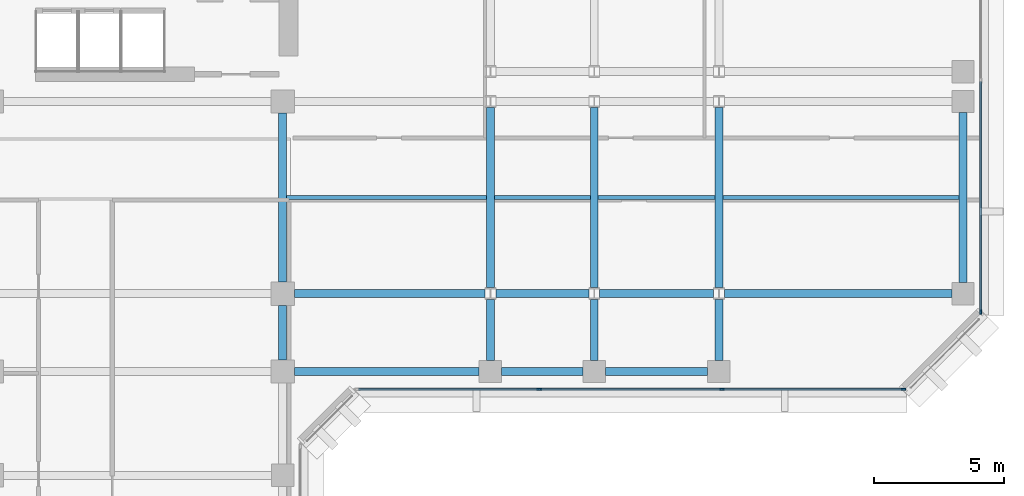
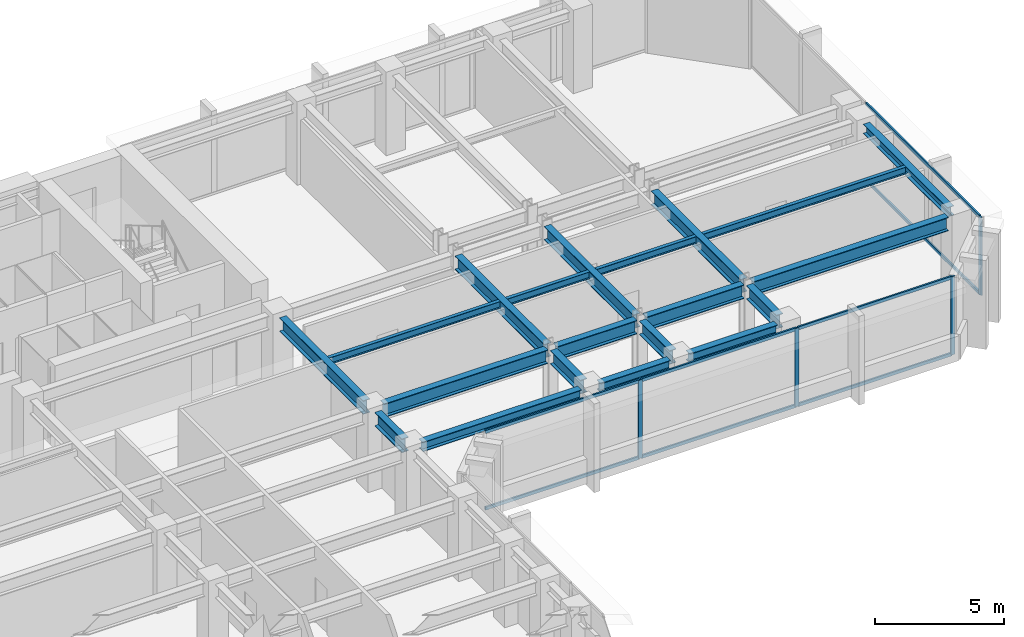
# One storey, part 3 of 11: 20 beams, 12 members, 2 elements without a shape of their own.
"""IFC4 building model written with IfcOpenShell, lengths in metres."""

from ifc_helpers import new_model, si_unit, direction, frame, origin, origin_2d, place, context, subcontext, project, spatial, rectangle, i_section, extrude, material, layer, layer_set, material_profile, profile_set, type_object, element, aggregate, save


model = new_model("IFC4")

# Units and contexts
model_context = context("Model", 3, precision=1e-05, world=origin(), true_north=direction((0.0, 1.0)))
body_context = subcontext(model_context, "Body", "Model", "MODEL_VIEW")
ifc_project = project(units=[si_unit("LENGTHUNIT", "METRE"), si_unit("AREAUNIT", "SQUARE_METRE"), si_unit("VOLUMEUNIT", "CUBIC_METRE"), si_unit("PLANEANGLEUNIT", "RADIAN"), si_unit("MASSUNIT", "GRAM", prefix="KILO")], contexts=[model_context])

# Site, building, storey
site_placement = place(None, origin())
site = spatial("IfcSite", under=ifc_project, at=site_placement, CompositionType="ELEMENT")
building_placement = place(site_placement, origin())
building = spatial("IfcBuilding", under=site, at=building_placement, Name="Kefirva Bronze Tower", CompositionType="ELEMENT")
storey_placement = place(building_placement, frame((0.0, 0.0, 162.68994140625)))
storey = spatial("IfcBuildingStorey", under=building, at=storey_placement, Name="L39", CompositionType="ELEMENT", Elevation=162.68994140625)

# Curtain wall, members
ifc_material_1 = material(Name="Bronze anodised aluminium", Category="aluminium")
ifc_layer = layer(ifc_material_1, 0.199951171875, Name="Bronze anodised aluminium")
ifc_layer_set = layer_set([ifc_layer], Name="Bronze anodised aluminium")
curtain_wall_type = type_object("IfcCurtainWallType", Name="Unitised Bronze Ribbon Curtain Wall Zone 2", PredefinedType="USERDEFINED", material=ifc_layer_set)
curtain_wall_1_placement = place(storey_placement, origin())
curtain_wall_1 = element("IfcCurtainWall", 1, at=curtain_wall_1_placement, inside=storey, type_object=curtain_wall_type, Name="L39 Curtain Wall 2", ObjectType="UNITISED CURTAIN WALL", PredefinedType="USERDEFINED")
ifc_material_profile_1 = material_profile(ifc_material_1, rectangle(XDim=0.074951171875, YDim=0.179931640625, at=origin_2d()), Name="ALU 75x180")
ifc_profile_set_1 = profile_set([ifc_material_profile_1], Name="Bronze anodised aluminium")
member_type_1 = type_object("IfcMemberType", Name="Bronze Mullion 75x180", PredefinedType="MULLION", material=ifc_profile_set_1)
member_1_placement = place(storey_placement, frame((33.0849609375, 22.1201171875, 0.0), z_axis=(0.0, 0.0, 1.0), x_axis=(0.0, 1.0, 0.0)))
member_1 = element("IfcMember", 2, at=member_1_placement, type_object=member_type_1, Name="CW-02 mullion 2", PredefinedType="MULLION", context=body_context, shape_type="SweptSolid", body=[
    extrude(rectangle(XDim=0.074951171875, YDim=0.179931640625, at=origin_2d()), origin(), (0.0, 0.0, 1.0), 3.7099609375),
])
member_2_placement = place(storey_placement, frame((40.114990234375, 22.1201171875, 0.0), z_axis=(0.0, 0.0, 1.0), x_axis=(0.0, 1.0, 0.0)))
member_2 = element("IfcMember", 3, at=member_2_placement, type_object=member_type_1, Name="CW-02 mullion 3", PredefinedType="MULLION", context=body_context, shape_type="SweptSolid", body=[
    extrude(rectangle(XDim=0.074951171875, YDim=0.179931640625, at=origin_2d()), origin(), (0.0, 0.0, 1.0), 3.7099609375),
])
member_3_placement = place(storey_placement, frame((47.107421875, 22.1201171875, 0.0), z_axis=(0.0, 0.0, 1.0), x_axis=(0.0, 1.0, 0.0)))
member_3 = element("IfcMember", 4, at=member_3_placement, type_object=member_type_1, Name="CW-02 mullion 4", PredefinedType="MULLION", context=body_context, shape_type="SweptSolid", body=[
    extrude(rectangle(XDim=0.074951171875, YDim=0.179931640625, at=origin_2d()), origin(), (0.0, 0.0, 1.0), 3.7099609375),
])

# Curtain wall, member
curtain_wall_2_placement = place(storey_placement, origin())
curtain_wall_2 = element("IfcCurtainWall", 5, at=curtain_wall_2_placement, inside=storey, type_object=curtain_wall_type, Name="L39 Curtain Wall 3", ObjectType="UNITISED CURTAIN WALL", PredefinedType="USERDEFINED")
member_4_placement = place(storey_placement, frame((50.080078125, 25.092529296875, 0.0), z_axis=(0.0, 0.0, 1.0), x_axis=(-1.0, 0.0, 0.0)))
member_4 = element("IfcMember", 6, at=member_4_placement, type_object=member_type_1, Name="CW-02 mullion 1", PredefinedType="MULLION", context=body_context, shape_type="SweptSolid", body=[
    extrude(rectangle(XDim=0.074951171875, YDim=0.179931640625, at=origin_2d()), origin(), (0.0, 0.0, 1.0), 3.7099609375),
])

# Member
ifc_material_profile_2 = material_profile(ifc_material_1, rectangle(XDim=0.074951171875, YDim=0.14990234375, at=origin_2d()), Name="ALU 75x150")
ifc_profile_set_2 = profile_set([ifc_material_profile_2], Name="Bronze anodised aluminium")
member_type_2 = type_object("IfcMemberType", Name="Bronze Transom 75x150", PredefinedType="USERDEFINED", material=ifc_profile_set_2)
member_5_placement = place(storey_placement, frame((26.1298828125, 22.1201171875, 0.03759765625), z_axis=(1.0, 0.0, 0.0), x_axis=(0.0, 1.0, 0.0)))
member_5 = element("IfcMember", 7, at=member_5_placement, type_object=member_type_2, Name="CW-02 transom 1.1", ObjectType="TRANSOM", PredefinedType="USERDEFINED", context=body_context, shape_type="SweptSolid", body=[
    extrude(rectangle(XDim=0.074951171875, YDim=0.14990234375, at=origin_2d()), origin(), (0.0, 0.0, 1.0), 6.917724609375),
])

member_6_placement = place(storey_placement, frame((26.1298828125, 22.1201171875, 3.672607421875), z_axis=(1.0, 0.0, 0.0), x_axis=(0.0, 1.0, 0.0)))
member_6 = element("IfcMember", 8, at=member_6_placement, type_object=member_type_2, Name="CW-02 transom 1.2", ObjectType="TRANSOM", PredefinedType="USERDEFINED", context=body_context, shape_type="SweptSolid", body=[
    extrude(rectangle(XDim=0.074951171875, YDim=0.14990234375, at=origin_2d()), origin(), (0.0, 0.0, 1.0), 6.917724609375),
])

member_7_placement = place(storey_placement, frame((33.12255859375, 22.1201171875, 0.03759765625), z_axis=(1.0, 0.0, 0.0), x_axis=(0.0, 1.0, 0.0)))
member_7 = element("IfcMember", 9, at=member_7_placement, type_object=member_type_2, Name="CW-02 transom 2.1", ObjectType="TRANSOM", PredefinedType="USERDEFINED", context=body_context, shape_type="SweptSolid", body=[
    extrude(rectangle(XDim=0.074951171875, YDim=0.14990234375, at=origin_2d()), origin(), (0.0, 0.0, 1.0), 6.954833984375),
])

member_8_placement = place(storey_placement, frame((33.12255859375, 22.1201171875, 3.672607421875), z_axis=(1.0, 0.0, 0.0), x_axis=(0.0, 1.0, 0.0)))
member_8 = element("IfcMember", 10, at=member_8_placement, type_object=member_type_2, Name="CW-02 transom 2.2", ObjectType="TRANSOM", PredefinedType="USERDEFINED", context=body_context, shape_type="SweptSolid", body=[
    extrude(rectangle(XDim=0.074951171875, YDim=0.14990234375, at=origin_2d()), origin(), (0.0, 0.0, 1.0), 6.954833984375),
])

member_9_placement = place(storey_placement, frame((40.152587890625, 22.1201171875, 0.03759765625), z_axis=(1.0, 0.0, 0.0), x_axis=(0.0, 1.0, 0.0)))
member_9 = element("IfcMember", 11, at=member_9_placement, type_object=member_type_2, Name="CW-02 transom 3.1", ObjectType="TRANSOM", PredefinedType="USERDEFINED", context=body_context, shape_type="SweptSolid", body=[
    extrude(rectangle(XDim=0.074951171875, YDim=0.14990234375, at=origin_2d()), origin(), (0.0, 0.0, 1.0), 6.91748046875),
])

member_10_placement = place(storey_placement, frame((40.152587890625, 22.1201171875, 3.672607421875), z_axis=(1.0, 0.0, 0.0), x_axis=(0.0, 1.0, 0.0)))
member_10 = element("IfcMember", 12, at=member_10_placement, type_object=member_type_2, Name="CW-02 transom 3.2", ObjectType="TRANSOM", PredefinedType="USERDEFINED", context=body_context, shape_type="SweptSolid", body=[
    extrude(rectangle(XDim=0.074951171875, YDim=0.14990234375, at=origin_2d()), origin(), (0.0, 0.0, 1.0), 6.91748046875),
])

aggregate(curtain_wall_1, [member_1, member_2, member_3, member_5, member_6, member_7, member_8, member_9, member_10])

member_11_placement = place(storey_placement, frame((50.080078125, 25.1298828125, 0.03759765625), z_axis=(0.0, 1.0, 0.0), x_axis=(-1.0, 0.0, 0.0)))
member_11 = element("IfcMember", 13, at=member_11_placement, type_object=member_type_2, Name="CW-02 transom 1.1", ObjectType="TRANSOM", PredefinedType="USERDEFINED", context=body_context, shape_type="SweptSolid", body=[
    extrude(rectangle(XDim=0.074951171875, YDim=0.14990234375, at=origin_2d()), origin(), (0.0, 0.0, 1.0), 8.83251953125),
])

member_12_placement = place(storey_placement, frame((50.080078125, 25.1298828125, 3.672607421875), z_axis=(0.0, 1.0, 0.0), x_axis=(-1.0, 0.0, 0.0)))
member_12 = element("IfcMember", 14, at=member_12_placement, type_object=member_type_2, Name="CW-02 transom 1.2", ObjectType="TRANSOM", PredefinedType="USERDEFINED", context=body_context, shape_type="SweptSolid", body=[
    extrude(rectangle(XDim=0.074951171875, YDim=0.14990234375, at=origin_2d()), origin(), (0.0, 0.0, 1.0), 8.83251953125),
])

aggregate(curtain_wall_2, [member_4, member_11, member_12])

# Beams
ifc_material_2 = material(Name="Steel S355", Category="steel")
ifc_material_profile_3 = material_profile(ifc_material_2, i_section(OverallWidth=0.159912109375, OverallDepth=0.330078125, WebThickness=0.007568359375, FlangeThickness=0.011474609375, at=origin_2d()), Name="IPE 330")
ifc_profile_set_3 = profile_set([ifc_material_profile_3], Name="Steel S355")
beam_type_1 = type_object("IfcBeamType", Name="Steel Floor Joist IPE 330", PredefinedType="JOIST", material=ifc_profile_set_3)
beam_1_placement = place(storey_placement, frame((23.35009765625, 29.5, 3.545166015625), z_axis=(1.0, 0.0, 0.0), x_axis=(0.0, 1.0, 0.0)))
element("IfcBeam", 15, at=beam_1_placement, inside=storey, type_object=beam_type_1, Name="L39 JST-L39-23-295", PredefinedType="JOIST", context=body_context, shape_type="SweptSolid", body=[
    extrude(i_section(OverallWidth=0.159912109375, OverallDepth=0.330078125, WebThickness=0.007568359375, FlangeThickness=0.011474609375, at=origin_2d()), origin(), (0.0, 0.0, 1.0), 7.699951171875),
])
beam_2_placement = place(storey_placement, frame((31.35009765625, 29.5, 3.545166015625), z_axis=(1.0, 0.0, 0.0), x_axis=(0.0, 1.0, 0.0)))
element("IfcBeam", 16, at=beam_2_placement, inside=storey, type_object=beam_type_1, Name="L39 JST-L39-31-295", PredefinedType="JOIST", context=body_context, shape_type="SweptSolid", body=[
    extrude(i_section(OverallWidth=0.159912109375, OverallDepth=0.330078125, WebThickness=0.007568359375, FlangeThickness=0.011474609375, at=origin_2d()), origin(), (0.0, 0.0, 1.0), 3.699951171875),
])
beam_3_placement = place(storey_placement, frame((35.35009765625, 29.5, 3.545166015625), z_axis=(1.0, 0.0, 0.0), x_axis=(0.0, 1.0, 0.0)))
element("IfcBeam", 17, at=beam_3_placement, inside=storey, type_object=beam_type_1, Name="L39 JST-L39-35-295", PredefinedType="JOIST", context=body_context, shape_type="SweptSolid", body=[
    extrude(i_section(OverallWidth=0.159912109375, OverallDepth=0.330078125, WebThickness=0.007568359375, FlangeThickness=0.011474609375, at=origin_2d()), origin(), (0.0, 0.0, 1.0), 4.5),
])
beam_4_placement = place(storey_placement, frame((40.14990234375, 29.5, 3.545166015625), z_axis=(1.0, 0.0, 0.0), x_axis=(0.0, 1.0, 0.0)))
element("IfcBeam", 18, at=beam_4_placement, inside=storey, type_object=beam_type_1, Name="L39 JST-L39-40-295", PredefinedType="JOIST", context=body_context, shape_type="SweptSolid", body=[
    extrude(i_section(OverallWidth=0.159912109375, OverallDepth=0.330078125, WebThickness=0.007568359375, FlangeThickness=0.011474609375, at=origin_2d()), origin(), (0.0, 0.0, 1.0), 9.10009765625),
])
ifc_material_profile_4 = material_profile(ifc_material_2, i_section(OverallWidth=0.300048828125, OverallDepth=0.64990234375, WebThickness=0.01611328125, FlangeThickness=0.031005859375, at=origin_2d()), Name="HEB 650")
ifc_profile_set_4 = profile_set([ifc_material_profile_4], Name="Steel S355")
beam_type_2 = type_object("IfcBeamType", Name="Steel Girder HEB 650", PredefinedType="USERDEFINED", material=ifc_profile_set_4)
beam_5_placement = place(storey_placement, frame((23.64990234375, 25.800048828125, 3.385009765625), z_axis=(1.0, 0.0, 0.0), x_axis=(0.0, 1.0, 0.0)))
element("IfcBeam", 19, at=beam_5_placement, inside=storey, type_object=beam_type_2, Name="L39 BM-L39-EW-23-258", ObjectType="GIRDER", PredefinedType="USERDEFINED", context=body_context, shape_type="SweptSolid", body=[
    extrude(i_section(OverallWidth=0.300048828125, OverallDepth=0.64990234375, WebThickness=0.01611328125, FlangeThickness=0.031005859375, at=origin_2d()), origin(), (0.0, 0.0, 1.0), 7.341064453125),
])
beam_6_placement = place(storey_placement, frame((31.408935546875, 25.800048828125, 3.385009765625), z_axis=(1.0, 0.0, 0.0), x_axis=(0.0, 1.0, 0.0)))
element("IfcBeam", 20, at=beam_6_placement, inside=storey, type_object=beam_type_2, Name="L39 BM-L39-EW-31-258", ObjectType="GIRDER", PredefinedType="USERDEFINED", context=body_context, shape_type="SweptSolid", body=[
    extrude(i_section(OverallWidth=0.300048828125, OverallDepth=0.64990234375, WebThickness=0.01611328125, FlangeThickness=0.031005859375, at=origin_2d()), origin(), (0.0, 0.0, 1.0), 3.58203125),
])
beam_7_placement = place(storey_placement, frame((35.408935546875, 25.800048828125, 3.385009765625), z_axis=(1.0, 0.0, 0.0), x_axis=(0.0, 1.0, 0.0)))
element("IfcBeam", 21, at=beam_7_placement, inside=storey, type_object=beam_type_2, Name="L39 BM-L39-EW-35-258", ObjectType="GIRDER", PredefinedType="USERDEFINED", context=body_context, shape_type="SweptSolid", body=[
    extrude(i_section(OverallWidth=0.300048828125, OverallDepth=0.64990234375, WebThickness=0.01611328125, FlangeThickness=0.031005859375, at=origin_2d()), origin(), (0.0, 0.0, 1.0), 4.382080078125),
])
beam_8_placement = place(storey_placement, frame((40.208984375, 25.800048828125, 3.385009765625), z_axis=(1.0, 0.0, 0.0), x_axis=(0.0, 1.0, 0.0)))
element("IfcBeam", 22, at=beam_8_placement, inside=storey, type_object=beam_type_2, Name="L39 BM-L39-EW-40-258", ObjectType="GIRDER", PredefinedType="USERDEFINED", context=body_context, shape_type="SweptSolid", body=[
    extrude(i_section(OverallWidth=0.300048828125, OverallDepth=0.64990234375, WebThickness=0.01611328125, FlangeThickness=0.031005859375, at=origin_2d()), origin(), (0.0, 0.0, 1.0), 8.760986328125),
])
beam_9_placement = place(storey_placement, frame((23.199951171875, 23.25, 3.385009765625), z_axis=(0.0, 1.0, 0.0), x_axis=(-1.0, 0.0, 0.0)))
element("IfcBeam", 23, at=beam_9_placement, inside=storey, type_object=beam_type_2, Name="L39 BM-L39-NS-232-22", ObjectType="GIRDER", PredefinedType="USERDEFINED", context=body_context, shape_type="SweptSolid", body=[
    extrude(i_section(OverallWidth=0.300048828125, OverallDepth=0.64990234375, WebThickness=0.01611328125, FlangeThickness=0.031005859375, at=origin_2d()), origin(), (0.0, 0.0, 1.0), 2.10009765625),
])
beam_10_placement = place(storey_placement, frame((23.199951171875, 26.25, 3.385009765625), z_axis=(0.0, 1.0, 0.0), x_axis=(-1.0, 0.0, 0.0)))
element("IfcBeam", 24, at=beam_10_placement, inside=storey, type_object=beam_type_2, Name="L39 BM-L39-NS-232-25", ObjectType="GIRDER", PredefinedType="USERDEFINED", context=body_context, shape_type="SweptSolid", body=[
    extrude(i_section(OverallWidth=0.300048828125, OverallDepth=0.64990234375, WebThickness=0.01611328125, FlangeThickness=0.031005859375, at=origin_2d()), origin(), (0.0, 0.0, 1.0), 6.5),
])
beam_11_placement = place(storey_placement, frame((31.199951171875, 23.22998046875, 3.385009765625), z_axis=(0.0, 1.0, 0.0), x_axis=(-1.0, 0.0, 0.0)))
element("IfcBeam", 25, at=beam_11_placement, inside=storey, type_object=beam_type_2, Name="L39 BM-L39-NS-312-22", ObjectType="GIRDER", PredefinedType="USERDEFINED", context=body_context, shape_type="SweptSolid", body=[
    extrude(i_section(OverallWidth=0.300048828125, OverallDepth=0.64990234375, WebThickness=0.01611328125, FlangeThickness=0.031005859375, at=origin_2d()), origin(), (0.0, 0.0, 1.0), 2.342529296875),
])
beam_12_placement = place(storey_placement, frame((31.199951171875, 26.027587890625, 3.385009765625), z_axis=(0.0, 1.0, 0.0), x_axis=(-1.0, 0.0, 0.0)))
element("IfcBeam", 26, at=beam_12_placement, inside=storey, type_object=beam_type_2, Name="L39 BM-L39-NS-312-25", ObjectType="GIRDER", PredefinedType="USERDEFINED", context=body_context, shape_type="SweptSolid", body=[
    extrude(i_section(OverallWidth=0.300048828125, OverallDepth=0.64990234375, WebThickness=0.01611328125, FlangeThickness=0.031005859375, at=origin_2d()), origin(), (0.0, 0.0, 1.0), 6.94482421875),
])
beam_13_placement = place(storey_placement, frame((35.199951171875, 23.22998046875, 3.385009765625), z_axis=(0.0, 1.0, 0.0), x_axis=(-1.0, 0.0, 0.0)))
element("IfcBeam", 27, at=beam_13_placement, inside=storey, type_object=beam_type_2, Name="L39 BM-L39-NS-352-22", ObjectType="GIRDER", PredefinedType="USERDEFINED", context=body_context, shape_type="SweptSolid", body=[
    extrude(i_section(OverallWidth=0.300048828125, OverallDepth=0.64990234375, WebThickness=0.01611328125, FlangeThickness=0.031005859375, at=origin_2d()), origin(), (0.0, 0.0, 1.0), 2.342529296875),
])
beam_14_placement = place(storey_placement, frame((35.199951171875, 26.027587890625, 3.385009765625), z_axis=(0.0, 1.0, 0.0), x_axis=(-1.0, 0.0, 0.0)))
element("IfcBeam", 28, at=beam_14_placement, inside=storey, type_object=beam_type_2, Name="L39 BM-L39-NS-352-25", ObjectType="GIRDER", PredefinedType="USERDEFINED", context=body_context, shape_type="SweptSolid", body=[
    extrude(i_section(OverallWidth=0.300048828125, OverallDepth=0.64990234375, WebThickness=0.01611328125, FlangeThickness=0.031005859375, at=origin_2d()), origin(), (0.0, 0.0, 1.0), 6.94482421875),
])
beam_15_placement = place(storey_placement, frame((40.0, 23.22998046875, 3.385009765625), z_axis=(0.0, 1.0, 0.0), x_axis=(-1.0, 0.0, 0.0)))
element("IfcBeam", 29, at=beam_15_placement, inside=storey, type_object=beam_type_2, Name="L39 BM-L39-NS-400-22", ObjectType="GIRDER", PredefinedType="USERDEFINED", context=body_context, shape_type="SweptSolid", body=[
    extrude(i_section(OverallWidth=0.300048828125, OverallDepth=0.64990234375, WebThickness=0.01611328125, FlangeThickness=0.031005859375, at=origin_2d()), origin(), (0.0, 0.0, 1.0), 2.342529296875),
])
beam_16_placement = place(storey_placement, frame((40.0, 26.027587890625, 3.385009765625), z_axis=(0.0, 1.0, 0.0), x_axis=(-1.0, 0.0, 0.0)))
element("IfcBeam", 30, at=beam_16_placement, inside=storey, type_object=beam_type_2, Name="L39 BM-L39-NS-400-25", ObjectType="GIRDER", PredefinedType="USERDEFINED", context=body_context, shape_type="SweptSolid", body=[
    extrude(i_section(OverallWidth=0.300048828125, OverallDepth=0.64990234375, WebThickness=0.01611328125, FlangeThickness=0.031005859375, at=origin_2d()), origin(), (0.0, 0.0, 1.0), 6.94482421875),
])
ifc_material_profile_5 = material_profile(ifc_material_2, i_section(OverallWidth=0.300048828125, OverallDepth=0.449951171875, WebThickness=0.013916015625, FlangeThickness=0.02587890625, at=origin_2d()), Name="HEB 450")
ifc_profile_set_5 = profile_set([ifc_material_profile_5], Name="Steel S355")
beam_type_3 = type_object("IfcBeamType", Name="Steel Spandrel HEB 450 Ext", PredefinedType="SPANDREL", material=ifc_profile_set_5)
beam_17_placement = place(storey_placement, frame((23.64990234375, 22.800048828125, 3.485107421875), z_axis=(1.0, 0.0, 0.0), x_axis=(0.0, 1.0, 0.0)))
element("IfcBeam", 31, at=beam_17_placement, inside=storey, type_object=beam_type_3, Name="L39 BM-L39-EW-23-228", PredefinedType="SPANDREL", context=body_context, shape_type="SweptSolid", body=[
    extrude(i_section(OverallWidth=0.300048828125, OverallDepth=0.449951171875, WebThickness=0.013916015625, FlangeThickness=0.02587890625, at=origin_2d()), origin(), (0.0, 0.0, 1.0), 7.1201171875),
])
beam_18_placement = place(storey_placement, frame((31.6298828125, 22.800048828125, 3.485107421875), z_axis=(1.0, 0.0, 0.0), x_axis=(0.0, 1.0, 0.0)))
element("IfcBeam", 32, at=beam_18_placement, inside=storey, type_object=beam_type_3, Name="L39 BM-L39-EW-31-228", PredefinedType="SPANDREL", context=body_context, shape_type="SweptSolid", body=[
    extrude(i_section(OverallWidth=0.300048828125, OverallDepth=0.449951171875, WebThickness=0.013916015625, FlangeThickness=0.02587890625, at=origin_2d()), origin(), (0.0, 0.0, 1.0), 3.14013671875),
])
beam_19_placement = place(storey_placement, frame((35.6298828125, 22.800048828125, 3.485107421875), z_axis=(1.0, 0.0, 0.0), x_axis=(0.0, 1.0, 0.0)))
element("IfcBeam", 33, at=beam_19_placement, inside=storey, type_object=beam_type_3, Name="L39 BM-L39-EW-35-228", PredefinedType="SPANDREL", context=body_context, shape_type="SweptSolid", body=[
    extrude(i_section(OverallWidth=0.300048828125, OverallDepth=0.449951171875, WebThickness=0.013916015625, FlangeThickness=0.02587890625, at=origin_2d()), origin(), (0.0, 0.0, 1.0), 3.940185546875),
])
beam_20_placement = place(storey_placement, frame((49.39990234375, 26.22998046875, 3.485107421875), z_axis=(0.0, 1.0, 0.0), x_axis=(-1.0, 0.0, 0.0)))
element("IfcBeam", 34, at=beam_20_placement, inside=storey, type_object=beam_type_3, Name="L39 BM-L39-NS-494-25", PredefinedType="SPANDREL", context=body_context, shape_type="SweptSolid", body=[
    extrude(i_section(OverallWidth=0.300048828125, OverallDepth=0.449951171875, WebThickness=0.013916015625, FlangeThickness=0.02587890625, at=origin_2d()), origin(), (0.0, 0.0, 1.0), 6.5400390625),
])

save(model, "model.ifc")
